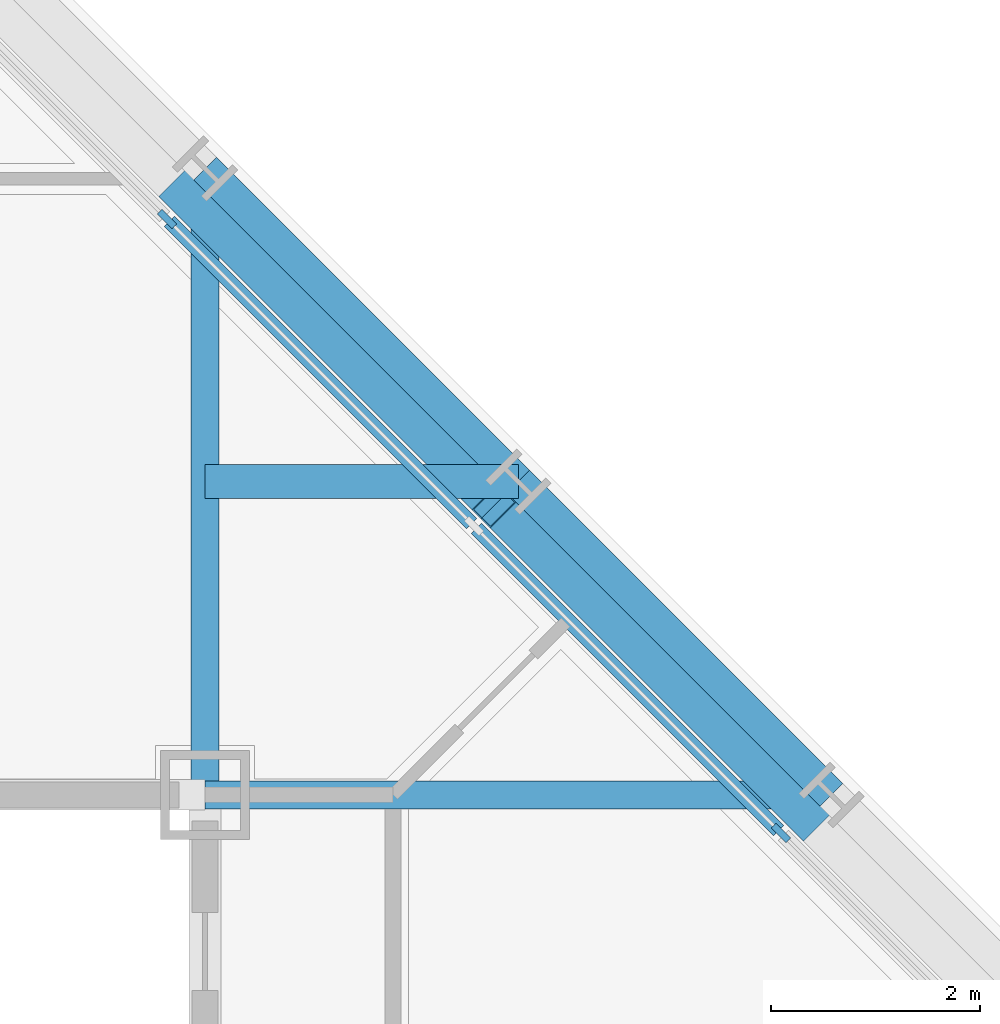
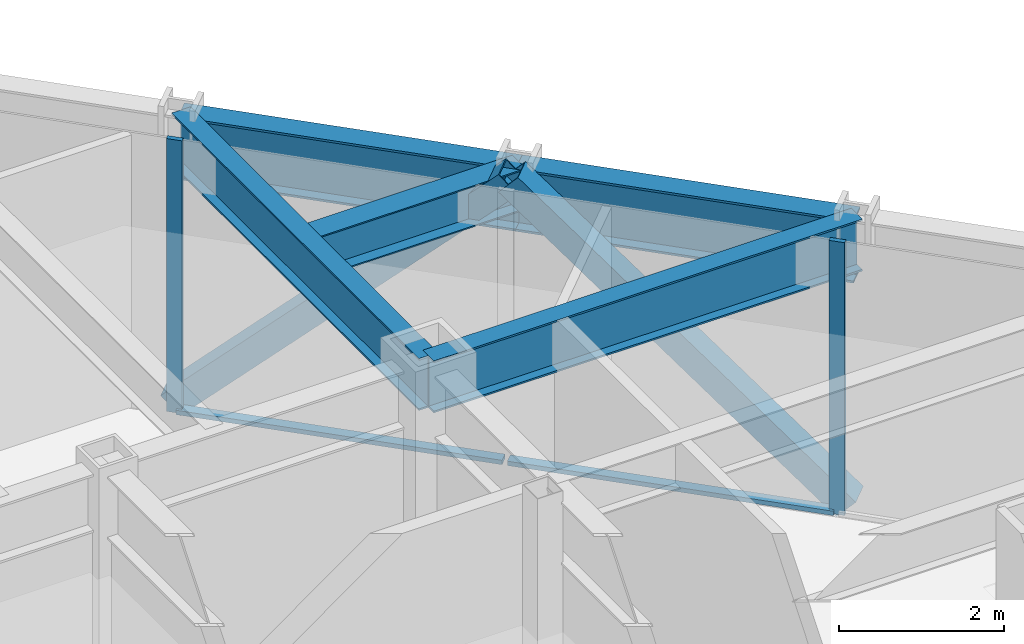
# One storey, part 9 of 16: 6 members, 5 beams, 1 element without a shape of its own.
"""IFC4 building model written with IfcOpenShell, lengths in metres."""

from ifc_helpers import new_model, si_unit, direction, frame, origin, origin_2d, place, context, subcontext, project, spatial, rectangle, hollow_rectangle, i_section, extrude, material, layer, layer_set, material_profile, profile_set, type_object, element, aggregate, save


model = new_model("IFC4")

# Units and contexts
model_context = context("Model", 3, precision=1e-05, world=origin(), true_north=direction((0.0, 1.0)))
body_context = subcontext(model_context, "Body", "Model", "MODEL_VIEW")
ifc_project = project(units=[si_unit("LENGTHUNIT", "METRE"), si_unit("AREAUNIT", "SQUARE_METRE"), si_unit("VOLUMEUNIT", "CUBIC_METRE"), si_unit("PLANEANGLEUNIT", "RADIAN"), si_unit("MASSUNIT", "GRAM", prefix="KILO")], contexts=[model_context])

# Site, building, storey
site_placement = place(None, origin())
site = spatial("IfcSite", under=ifc_project, at=site_placement, CompositionType="ELEMENT")
building_placement = place(site_placement, origin())
building = spatial("IfcBuilding", under=site, at=building_placement, Name="Chuquiago Exchange Tower", CompositionType="ELEMENT")
storey_placement = place(building_placement, frame((0.0, 0.0, 234.89990234375)))
storey = spatial("IfcBuildingStorey", under=building, at=storey_placement, Name="L52", CompositionType="ELEMENT", Elevation=234.89990234375)

# Beam
ifc_material_1 = material(Name="Steel ASTM A992", Category="steel")
ifc_material_profile_1 = material_profile(ifc_material_1, i_section(OverallWidth=0.3251953125, OverallDepth=0.612060546875, WebThickness=0.0126953125, FlangeThickness=0.01904296875, at=origin_2d()), Name="W24X104")
ifc_profile_set_1 = profile_set([ifc_material_profile_1], Name="Steel ASTM A992")
beam_type_1 = type_object("IfcBeamType", Name="B2 W24X104", PredefinedType="BEAM", material=ifc_profile_set_1)
beam_placement = place(storey_placement, frame((33.0, 36.0, 3.73388671875), z_axis=(1.0, 0.0, 0.0), x_axis=(0.0, 1.0, 0.0)))
element("IfcBeam", 1, at=beam_placement, inside=storey, type_object=beam_type_1, Name="FB-L53-corner-33_36-36_36-0", PredefinedType="BEAM", context=body_context, shape_type="SweptSolid", body=[
    extrude(i_section(OverallWidth=0.3251953125, OverallDepth=0.612060546875, WebThickness=0.0126953125, FlangeThickness=0.01904296875, at=origin_2d()), origin(), (0.0, 0.0, 1.0), 3.0),
])

# Curtain wall, members
ifc_material_2 = material(Name="Aluminium curtain wall system", Category="aluminium")
ifc_layer = layer(ifc_material_2, 0.199951171875)
ifc_layer_set = layer_set([ifc_layer], Name="CW3 facet curtain wall")
curtain_wall_type = type_object("IfcCurtainWallType", Name="CW3 facet curtain wall", PredefinedType="NOTDEFINED", material=ifc_layer_set)
curtain_wall_placement = place(storey_placement, origin())
curtain_wall = element("IfcCurtainWall", 2, at=curtain_wall_placement, inside=storey, type_object=curtain_wall_type, Name="CW3 curtain wall L52", PredefinedType="NOTDEFINED")
ifc_material_3 = material(Name="Aluminium mullion, pale anodised", Category="aluminium")
ifc_material_profile_2 = material_profile(ifc_material_3, rectangle(XDim=0.06494140625, YDim=0.199951171875, at=origin_2d()), Name="AL 65x200")
ifc_profile_set_2 = profile_set([ifc_material_profile_2], Name="Aluminium mullion, pale anodised")
member_type_1 = type_object("IfcMemberType", Name="CW3-M mullion 65x200", PredefinedType="MULLION", material=ifc_profile_set_2)
member_1_placement = place(storey_placement, frame((38.51708984375, 32.63427734375, 0.0), z_axis=(0.0, 0.0, 1.0), x_axis=(-0.707106781187, -0.707106781187, 0.0)))
member_1 = element("IfcMember", 3, at=member_1_placement, type_object=member_type_1, Name="CW3 mullion 3", PredefinedType="MULLION", context=body_context, shape_type="SweptSolid", body=[
    extrude(rectangle(XDim=0.06494140625, YDim=0.199951171875, at=origin_2d()), origin(), (0.0, 0.0, 1.0), 4.0400390625),
])
member_2_placement = place(storey_placement, frame((32.63427734375, 38.51708984375, 0.0), z_axis=(0.0, 0.0, 1.0), x_axis=(-0.707106781187, -0.707106781187, 0.0)))
member_2 = element("IfcMember", 4, at=member_2_placement, type_object=member_type_1, Name="CW3 mullion 5", PredefinedType="MULLION", context=body_context, shape_type="SweptSolid", body=[
    extrude(rectangle(XDim=0.06494140625, YDim=0.199951171875, at=origin_2d()), origin(), (0.0, 0.0, 1.0), 4.0400390625),
])
ifc_material_4 = material(Name="Aluminium transom, pale anodised", Category="aluminium")
ifc_material_profile_3 = material_profile(ifc_material_4, rectangle(XDim=0.139892578125, YDim=0.06494140625, at=origin_2d()), Name="AL 140x65")
ifc_profile_set_3 = profile_set([ifc_material_profile_3], Name="Aluminium transom, pale anodised")
member_type_2 = type_object("IfcMemberType", Name="CW3-T transom 65x140", PredefinedType="MULLION", material=ifc_profile_set_3)
member_3_placement = place(storey_placement, frame((38.494140625, 32.6572265625, 0.03271484375), z_axis=(-0.707106781187, 0.707106781187, 0.0), x_axis=(-0.707106781187, -0.707106781187, 0.0)))
member_3 = element("IfcMember", 5, at=member_3_placement, type_object=member_type_2, Name="CW3 transom 3.1", PredefinedType="MULLION", context=body_context, shape_type="SweptSolid", body=[
    extrude(rectangle(XDim=0.139892578125, YDim=0.06494140625, at=origin_2d()), origin(), (0.0, 0.0, 1.0), 4.094970703125),
])
member_4_placement = place(storey_placement, frame((35.552734375, 35.5986328125, 0.03271484375), z_axis=(-0.707106781187, 0.707106781187, 0.0), x_axis=(-0.707106781187, -0.707106781187, 0.0)))
member_4 = element("IfcMember", 6, at=member_4_placement, type_object=member_type_2, Name="CW3 transom 4.1", PredefinedType="MULLION", context=body_context, shape_type="SweptSolid", body=[
    extrude(rectangle(XDim=0.139892578125, YDim=0.06494140625, at=origin_2d()), origin(), (0.0, 0.0, 1.0), 4.094970703125),
])
aggregate(curtain_wall, [member_1, member_2, member_3, member_4])

# Beams
ifc_material_5 = material(Name="Steel ASTM A992", Category="steel")
ifc_material_profile_4 = material_profile(ifc_material_5, i_section(OverallWidth=0.2666015625, OverallDepth=0.76953125, WebThickness=0.015625, FlangeThickness=0.025390625, at=origin_2d()), Name="W30X132")
ifc_profile_set_4 = profile_set([ifc_material_profile_4], Name="Steel ASTM A992")
beam_type_2 = type_object("IfcBeamType", Name="G1 W30X132", PredefinedType="BEAM", material=ifc_profile_set_4)
for number, where, z_axis, x_axis, name in (
    (7, (33.0, 33.0, 3.6552734375), (0.0, 1.0, 0.0), (-1.0, 0.0, 0.0), "FB-L53-girder-33_33-33_39-0"),
    (8, (33.0, 33.0, 3.6552734375), (1.0, 0.0, 0.0), (0.0, 1.0, 0.0), "FB-L53-girder-33_33-39_33-0"),
):
    element("IfcBeam", number, at=place(storey_placement, frame(where, z_axis=z_axis, x_axis=x_axis)), inside=storey, type_object=beam_type_2, Name=name, PredefinedType="BEAM", context=body_context, shape_type="SweptSolid", body=[
        extrude(i_section(OverallWidth=0.2666015625, OverallDepth=0.76953125, WebThickness=0.015625, FlangeThickness=0.025390625, at=origin_2d()), origin(), (0.0, 0.0, 1.0), 6.0),
    ])

# Members
ifc_material_6 = material(Name="Steel ASTM A500 Grade C", Category="steel")
ifc_material_profile_5 = material_profile(ifc_material_6, hollow_rectangle(XDim=0.355712890625, YDim=0.355712890625, WallThickness=0.0146484375, at=origin_2d()), Name="HSS14X14X5/8")
ifc_profile_set_5 = profile_set([ifc_material_profile_5], Name="Steel ASTM A500 Grade C")
member_type_3 = type_object("IfcMemberType", Name="LB2 HSS14X14X5/8", PredefinedType="BRACE", material=ifc_profile_set_5)
for number, where, z_axis, x_axis, name in (
    (9, (38.7685546875, 32.7685546875, 0.0), (-0.512077265487, 0.512077265487, 0.689604051861), (-0.707106781187, -0.707106781187, 0.0), "LB-L52-39_33-36_36"),
    (10, (32.7685546875, 38.7685546875, 0.0), (0.512077265487, -0.512077265487, 0.689604051861), (0.707106781187, 0.707106781187, 0.0), "LB-L52-36_36-33_39"),
):
    element("IfcMember", number, at=place(storey_placement, frame(where, z_axis=z_axis, x_axis=x_axis)), inside=storey, type_object=member_type_3, Name=name, PredefinedType="BRACE", context=body_context, shape_type="SweptSolid", body=[
        extrude(hollow_rectangle(XDim=0.355712890625, YDim=0.355712890625, WallThickness=0.0146484375, at=origin_2d()), origin(), (0.0, 0.0, 1.0), 5.8583984375),
    ])

# Beams
ifc_material_7 = material(Name="Steel ASTM A992", Category="steel")
ifc_material_profile_6 = material_profile(ifc_material_7, i_section(OverallWidth=0.307373046875, OverallDepth=0.927001953125, WebThickness=0.01953125, FlangeThickness=0.031982421875, at=origin_2d()), Name="W36X194")
ifc_profile_set_6 = profile_set([ifc_material_profile_6], Name="Steel ASTM A992")
beam_type_3 = type_object("IfcBeamType", Name="SP3 W36X194", PredefinedType="SPANDREL", material=ifc_profile_set_6)
for number, where, z_axis, x_axis, name in (
    (11, (39.0, 33.0, 3.576416015625), (-0.707106781187, 0.707106781187, 0.0), (-0.707106781187, -0.707106781187, 0.0), "SPB-L53-39_33-36_36"),
    (12, (36.0, 36.0, 3.576416015625), (-0.707106781187, 0.707106781187, 0.0), (-0.707106781187, -0.707106781187, 0.0), "SPB-L53-36_36-33_39"),
):
    element("IfcBeam", number, at=place(storey_placement, frame(where, z_axis=z_axis, x_axis=x_axis)), inside=storey, type_object=beam_type_3, Name=name, PredefinedType="SPANDREL", context=body_context, shape_type="SweptSolid", body=[
        extrude(i_section(OverallWidth=0.307373046875, OverallDepth=0.927001953125, WebThickness=0.01953125, FlangeThickness=0.031982421875, at=origin_2d()), origin(), (0.0, 0.0, 1.0), 4.24267578125),
    ])

save(model, "model.ifc")
